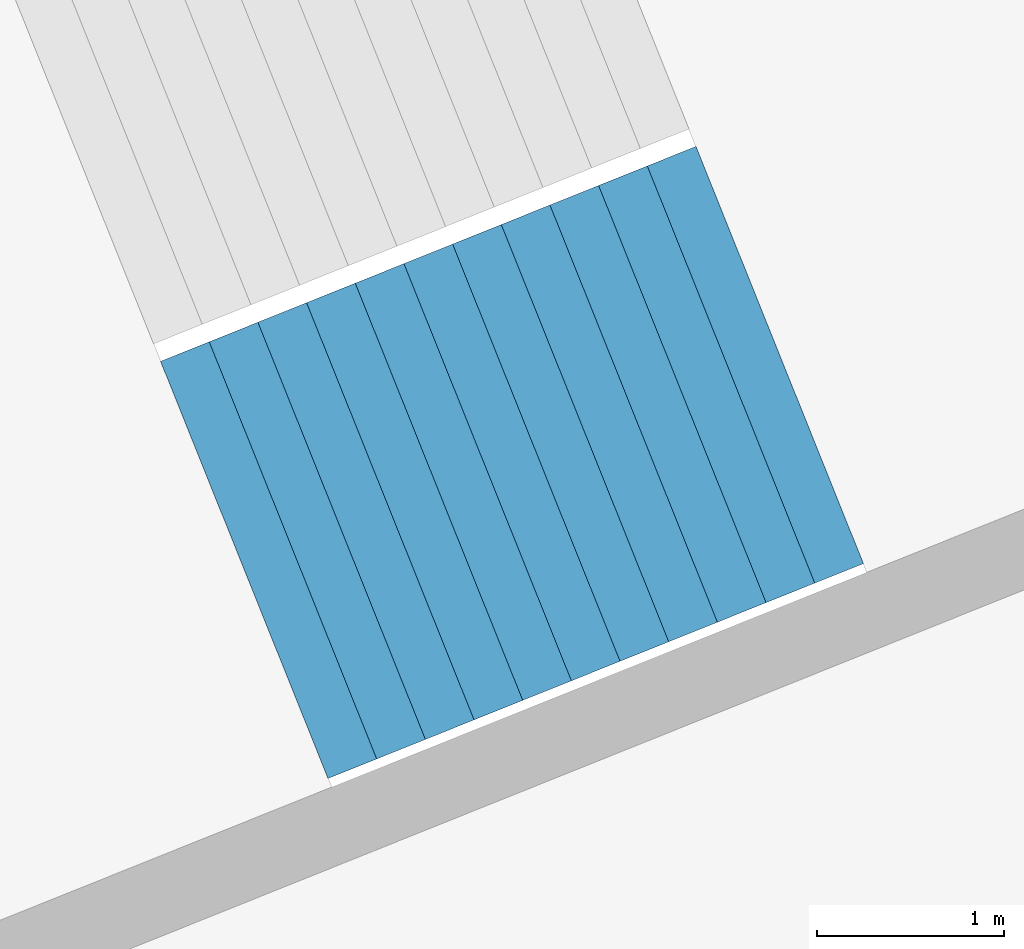
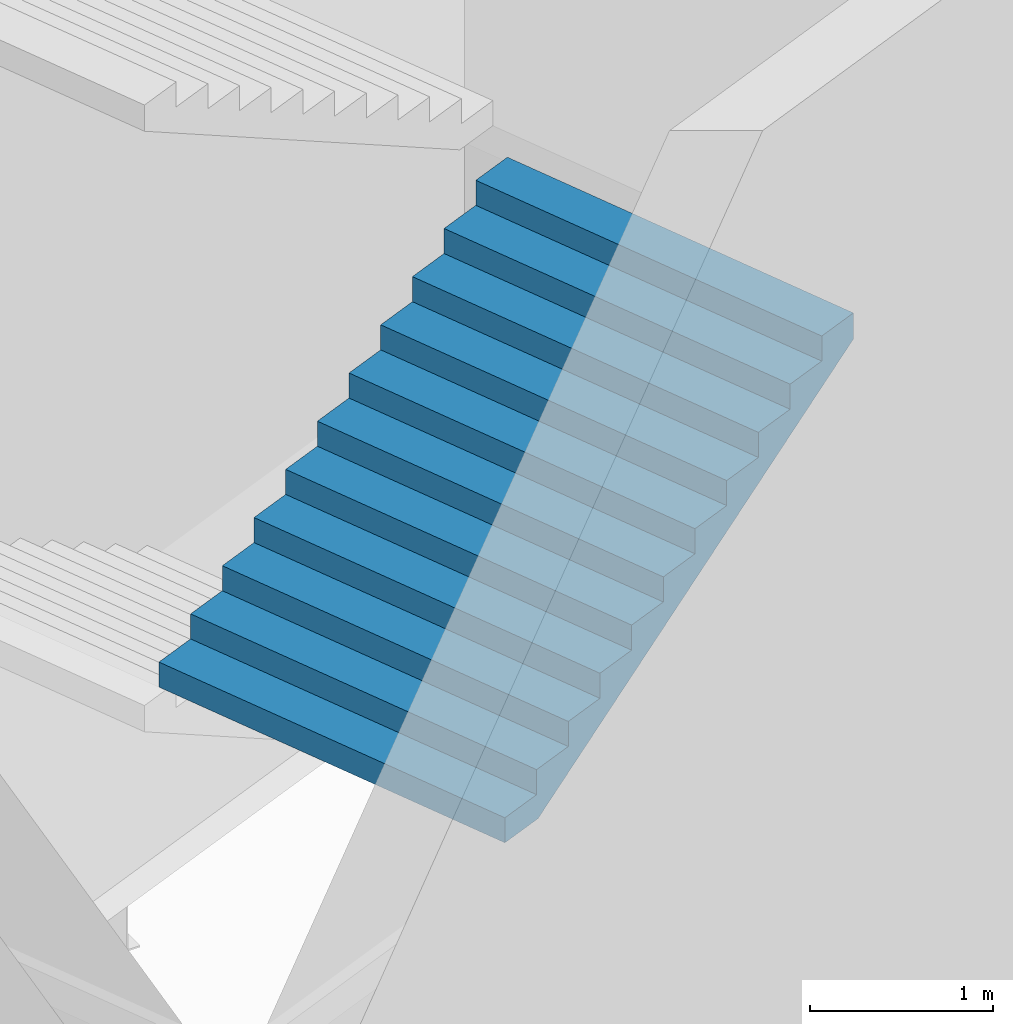
# One storey, part 67 of 74: 1 stair flight, 1 element without a shape of its own.
"""IFC4 building model written with IfcOpenShell, lengths in metres."""

from ifc_helpers import new_model, si_unit, direction, frame, origin, place, context, subcontext, project, spatial, triangles, material, type_object, element, aggregate, save


model = new_model("IFC4")

# Units and contexts
model_context = context("Model", 3, precision=1e-05, world=origin(), true_north=direction((0.0, 1.0)))
body_context = subcontext(model_context, "Body", "Model", "MODEL_VIEW")
ifc_project = project(units=[si_unit("LENGTHUNIT", "METRE"), si_unit("AREAUNIT", "SQUARE_METRE"), si_unit("VOLUMEUNIT", "CUBIC_METRE"), si_unit("PLANEANGLEUNIT", "RADIAN"), si_unit("MASSUNIT", "GRAM", prefix="KILO")], contexts=[model_context])

# Site, building, storey
site_placement = place(None, origin())
site = spatial("IfcSite", under=ifc_project, at=site_placement, CompositionType="ELEMENT")
building_placement = place(site_placement, origin())
building = spatial("IfcBuilding", under=site, at=building_placement, Name="Lantaw Convention Tower", CompositionType="ELEMENT")
storey_placement = place(building_placement, frame((0.0, 0.0, 6.5)))
storey = spatial("IfcBuildingStorey", under=building, at=storey_placement, Name="L01", CompositionType="ELEMENT", Elevation=6.5)

# Stair, stair flight
ifc_material = material(Name="Concrete C35/45", Category="concrete")
stair_type = type_object("IfcStairType", Name="Exit stair 2400 riser 166.67 in 4 flights", PredefinedType="HALF_TURN_STAIR", material=ifc_material)
stair_placement = place(storey_placement, origin())
stair = element("IfcStair", 1, at=stair_placement, inside=storey, type_object=stair_type, Name="Podium exit stair P2 L01", PredefinedType="HALF_TURN_STAIR")
stair_flight_type = type_object("IfcStairFlightType", Name="Stair flight 2400 riser 166.67", PredefinedType="STRAIGHT", material=ifc_material)
stair_flight_placement = place(storey_placement, frame((36.730712890625, 13.398193359375, 4.0), z_axis=(0.0, 0.0, 1.0), x_axis=(0.928015168305, 0.372542410198, 0.0)))
stair_flight = element("IfcStairFlight", 2, at=stair_flight_placement, type_object=stair_flight_type, Name="P2 flight 3", NumberOfRisers=12, NumberOfTreads=11, PredefinedType="STRAIGHT", RiserHeight=0.166666667, TreadLength=0.28, context=body_context, shape_type="Tessellation", body=[
    triangles([(0.0, 1.199951171875, 0.0), (0.0, 1.199951171875, 0.166666667), (0.28, 1.199951171875, 0.0), (0.28, 1.199951171875, 0.166666667), (0.28, 1.199951171875, 0.333333334), (0.29307345806906726, 1.199951171875, 0.0), (0.29307345806906726, 1.199951171875, 0.333333334), (0.56, 1.199951171875, 0.15888484670522965), (0.56, 1.199951171875, 0.333333334), (0.56, 1.199951171875, 0.500000001), (0.8400000000000001, 1.199951171875, 0.3255515137052296), (0.8400000000000001, 1.199951171875, 0.500000001), (0.8400000000000001, 1.199951171875, 0.666666668), (1.12, 1.199951171875, 0.4922181807052296), (1.12, 1.199951171875, 0.666666668), (1.12, 1.199951171875, 0.833333335), (1.4000000000000001, 1.199951171875, 0.6588848477052296), (1.4000000000000001, 1.199951171875, 0.833333335), (1.4000000000000001, 1.199951171875, 1.000000002), (1.6800000000000002, 1.199951171875, 0.8255515147052296), (1.6800000000000002, 1.199951171875, 1.000000002), (1.6800000000000002, 1.199951171875, 1.166666669), (1.9600000000000002, 1.199951171875, 0.9922181817052296), (1.9600000000000002, 1.199951171875, 1.166666669), (1.9600000000000002, 1.199951171875, 1.333333336), (2.24, 1.199951171875, 1.1588848487052295), (2.24, 1.199951171875, 1.333333336), (2.24, 1.199951171875, 1.5000000029999998), (2.5200000000000005, 1.199951171875, 1.3255515157052296), (2.5200000000000005, 1.199951171875, 1.5000000029999998), (2.5200000000000005, 1.199951171875, 1.66666667), (2.8000000000000003, 1.199951171875, 1.4922181827052294), (2.8000000000000003, 1.199951171875, 1.66666667), (2.8000000000000003, 1.199951171875, 1.833333337), (3.08, 1.199951171875, 1.6588848497052293), (3.08, 1.199951171875, 1.833333337), (0.0, -1.199951171875, 0.0), (0.0, -1.199951171875, 0.166666667), (0.28, -1.199951171875, 0.0), (0.28, -1.199951171875, 0.166666667), (0.28, -1.199951171875, 0.333333334), (0.29307345806906726, -1.199951171875, 0.0), (0.29307345806906726, -1.199951171875, 0.333333334), (0.56, -1.199951171875, 0.15888484670522965), (0.56, -1.199951171875, 0.333333334), (0.56, -1.199951171875, 0.500000001), (0.8400000000000001, -1.199951171875, 0.3255515137052296), (0.8400000000000001, -1.199951171875, 0.500000001), (0.8400000000000001, -1.199951171875, 0.666666668), (1.12, -1.199951171875, 0.4922181807052296), (1.12, -1.199951171875, 0.666666668), (1.12, -1.199951171875, 0.833333335), (1.4000000000000001, -1.199951171875, 0.6588848477052296), (1.4000000000000001, -1.199951171875, 0.833333335), (1.4000000000000001, -1.199951171875, 1.000000002), (1.6800000000000002, -1.199951171875, 0.8255515147052296), (1.6800000000000002, -1.199951171875, 1.000000002), (1.6800000000000002, -1.199951171875, 1.166666669), (1.9600000000000002, -1.199951171875, 0.9922181817052296), (1.9600000000000002, -1.199951171875, 1.166666669), (1.9600000000000002, -1.199951171875, 1.333333336), (2.24, -1.199951171875, 1.1588848487052295), (2.24, -1.199951171875, 1.333333336), (2.24, -1.199951171875, 1.5000000029999998), (2.5200000000000005, -1.199951171875, 1.3255515157052296), (2.5200000000000005, -1.199951171875, 1.5000000029999998), (2.5200000000000005, -1.199951171875, 1.66666667), (2.8000000000000003, -1.199951171875, 1.4922181827052294), (2.8000000000000003, -1.199951171875, 1.66666667), (2.8000000000000003, -1.199951171875, 1.833333337), (3.08, -1.199951171875, 1.6588848497052293), (3.08, -1.199951171875, 1.833333337), (0.0, 0.239990234375, 0.166666667), (0.0, 0.239990234375, 0.0), (0.0, 0.1199951171875, 0.166666667), (0.0, 0.1199951171875, 0.0), (0.0, 0.0, 0.166666667), (0.0, 0.0, 0.0), (0.0, -0.1199951171875, 0.166666667), (0.0, -0.1199951171875, 0.0), (0.0, -0.239990234375, 0.166666667), (0.0, -0.239990234375, 0.0), (0.28, 0.239990234375, 0.333333334), (0.28, 0.239990234375, 0.166666667), (0.28, 0.1199951171875, 0.333333334), (0.28, 0.1199951171875, 0.166666667), (0.28, 0.0, 0.333333334), (0.28, 0.0, 0.166666667), (0.28, -0.1199951171875, 0.333333334), (0.28, -0.1199951171875, 0.166666667), (0.28, -0.239990234375, 0.333333334), (0.28, -0.239990234375, 0.166666667), (0.56, 0.239990234375, 0.500000001), (0.56, 0.239990234375, 0.333333334), (0.56, 0.1199951171875, 0.500000001), (0.56, 0.1199951171875, 0.333333334), (0.56, 0.0, 0.500000001), (0.56, 0.0, 0.333333334), (0.56, -0.1199951171875, 0.500000001), (0.56, -0.1199951171875, 0.333333334), (0.56, -0.239990234375, 0.500000001), (0.56, -0.239990234375, 0.333333334), (0.8400000000000001, 0.239990234375, 0.666666668), (0.8400000000000001, 0.239990234375, 0.500000001), (0.8400000000000001, 0.1199951171875, 0.666666668), (0.8400000000000001, 0.1199951171875, 0.500000001), (0.8400000000000001, 0.0, 0.666666668), (0.8400000000000001, 0.0, 0.500000001), (0.8400000000000001, -0.1199951171875, 0.666666668), (0.8400000000000001, -0.1199951171875, 0.500000001), (0.8400000000000001, -0.239990234375, 0.666666668), (0.8400000000000001, -0.239990234375, 0.500000001), (1.12, 0.239990234375, 0.833333335), (1.12, 0.239990234375, 0.666666668), (1.12, 0.1199951171875, 0.833333335), (1.12, 0.1199951171875, 0.666666668), (1.12, 0.0, 0.833333335), (1.12, 0.0, 0.666666668), (1.12, -0.1199951171875, 0.833333335), (1.12, -0.1199951171875, 0.666666668), (1.12, -0.239990234375, 0.833333335), (1.12, -0.239990234375, 0.666666668), (1.4000000000000001, 0.239990234375, 1.000000002), (1.4000000000000001, 0.239990234375, 0.833333335), (1.4000000000000001, 0.1199951171875, 1.000000002), (1.4000000000000001, 0.1199951171875, 0.833333335), (1.4000000000000001, 0.0, 1.000000002), (1.4000000000000001, 0.0, 0.833333335), (1.4000000000000001, -0.1199951171875, 1.000000002), (1.4000000000000001, -0.1199951171875, 0.833333335), (1.4000000000000001, -0.239990234375, 1.000000002), (1.4000000000000001, -0.239990234375, 0.833333335), (1.6800000000000002, 0.239990234375, 1.166666669), (1.6800000000000002, 0.239990234375, 1.000000002), (1.6800000000000002, 0.1199951171875, 1.166666669), (1.6800000000000002, 0.1199951171875, 1.000000002), (1.6800000000000002, 0.0, 1.166666669), (1.6800000000000002, 0.0, 1.000000002), (1.6800000000000002, -0.1199951171875, 1.166666669), (1.6800000000000002, -0.1199951171875, 1.000000002), (1.6800000000000002, -0.239990234375, 1.166666669), (1.6800000000000002, -0.239990234375, 1.000000002), (1.9600000000000002, 0.239990234375, 1.333333336), (1.9600000000000002, 0.239990234375, 1.166666669), (1.9600000000000002, 0.1199951171875, 1.333333336), (1.9600000000000002, 0.1199951171875, 1.166666669), (1.9600000000000002, 0.0, 1.333333336), (1.9600000000000002, 0.0, 1.166666669), (1.9600000000000002, -0.1199951171875, 1.333333336), (1.9600000000000002, -0.1199951171875, 1.166666669), (1.9600000000000002, -0.239990234375, 1.333333336), (1.9600000000000002, -0.239990234375, 1.166666669), (2.24, 0.239990234375, 1.5000000029999998), (2.24, 0.239990234375, 1.333333336), (2.24, 0.1199951171875, 1.5000000029999998), (2.24, 0.1199951171875, 1.333333336), (2.24, 0.0, 1.5000000029999998), (2.24, 0.0, 1.333333336), (2.24, -0.1199951171875, 1.5000000029999998), (2.24, -0.1199951171875, 1.333333336), (2.24, -0.239990234375, 1.5000000029999998), (2.24, -0.239990234375, 1.333333336), (2.5200000000000005, 0.239990234375, 1.66666667), (2.5200000000000005, 0.239990234375, 1.5000000029999998), (2.5200000000000005, 0.1199951171875, 1.66666667), (2.5200000000000005, 0.1199951171875, 1.5000000029999998), (2.5200000000000005, 0.0, 1.66666667), (2.5200000000000005, 0.0, 1.5000000029999998), (2.5200000000000005, -0.1199951171875, 1.66666667), (2.5200000000000005, -0.1199951171875, 1.5000000029999998), (2.5200000000000005, -0.239990234375, 1.66666667), (2.5200000000000005, -0.239990234375, 1.5000000029999998), (2.8000000000000003, 0.239990234375, 1.833333337), (2.8000000000000003, 0.239990234375, 1.66666667), (2.8000000000000003, 0.1199951171875, 1.833333337), (2.8000000000000003, 0.1199951171875, 1.66666667), (2.8000000000000003, 0.0, 1.833333337), (2.8000000000000003, 0.0, 1.66666667), (2.8000000000000003, -0.1199951171875, 1.833333337), (2.8000000000000003, -0.1199951171875, 1.66666667), (2.8000000000000003, -0.239990234375, 1.833333337), (2.8000000000000003, -0.239990234375, 1.66666667), (0.29307345806906726, 0.239990234375, 0.333333334), (0.29307345806906726, 0.1199951171875, 0.333333334), (0.29307345806906726, 0.0, 0.333333334), (0.29307345806906726, -0.1199951171875, 0.333333334), (0.29307345806906726, -0.239990234375, 0.333333334), (3.08, 0.239990234375, 1.833333337), (3.08, 0.1199951171875, 1.833333337), (3.08, 0.0, 1.833333337), (3.08, -0.1199951171875, 1.833333337), (3.08, -0.239990234375, 1.833333337), (3.08, 0.239990234375, 1.6588848497052293), (3.08, 0.1199951171875, 1.6588848497052293), (3.08, 0.0, 1.6588848497052293), (3.08, -0.1199951171875, 1.6588848497052293), (3.08, -0.239990234375, 1.6588848497052293), (2.8000000000000003, 0.239990234375, 1.4922181827052294), (2.8000000000000003, 0.1199951171875, 1.4922181827052294), (2.8000000000000003, 0.0, 1.4922181827052294), (2.8000000000000003, -0.1199951171875, 1.4922181827052294), (2.8000000000000003, -0.239990234375, 1.4922181827052294), (2.5200000000000005, 0.239990234375, 1.3255515157052296), (2.5200000000000005, 0.1199951171875, 1.3255515157052296), (2.5200000000000005, 0.0, 1.3255515157052296), (2.5200000000000005, -0.1199951171875, 1.3255515157052296), (2.5200000000000005, -0.239990234375, 1.3255515157052296), (2.24, 0.239990234375, 1.1588848487052295), (2.24, 0.1199951171875, 1.1588848487052295), (2.24, 0.0, 1.1588848487052295), (2.24, -0.1199951171875, 1.1588848487052295), (2.24, -0.239990234375, 1.1588848487052295), (1.9600000000000002, 0.239990234375, 0.9922181817052296), (1.9600000000000002, 0.1199951171875, 0.9922181817052296), (1.9600000000000002, 0.0, 0.9922181817052296), (1.9600000000000002, -0.1199951171875, 0.9922181817052296), (1.9600000000000002, -0.239990234375, 0.9922181817052296), (1.6800000000000002, 0.239990234375, 0.8255515147052296), (1.6800000000000002, 0.1199951171875, 0.8255515147052296), (1.6800000000000002, 0.0, 0.8255515147052296), (1.6800000000000002, -0.1199951171875, 0.8255515147052296), (1.6800000000000002, -0.239990234375, 0.8255515147052296), (1.4000000000000001, 0.239990234375, 0.6588848477052296), (1.4000000000000001, 0.1199951171875, 0.6588848477052296), (1.4000000000000001, 0.0, 0.6588848477052296), (1.4000000000000001, -0.1199951171875, 0.6588848477052296), (1.4000000000000001, -0.239990234375, 0.6588848477052296), (1.12, 0.239990234375, 0.4922181807052296), (1.12, 0.1199951171875, 0.4922181807052296), (1.12, 0.0, 0.4922181807052296), (1.12, -0.1199951171875, 0.4922181807052296), (1.12, -0.239990234375, 0.4922181807052296), (0.8400000000000001, 0.239990234375, 0.3255515137052296), (0.8400000000000001, 0.1199951171875, 0.3255515137052296), (0.8400000000000001, 0.0, 0.3255515137052296), (0.8400000000000001, -0.1199951171875, 0.3255515137052296), (0.8400000000000001, -0.239990234375, 0.3255515137052296), (0.56, 0.239990234375, 0.15888484670522965), (0.56, 0.1199951171875, 0.15888484670522965), (0.56, 0.0, 0.15888484670522965), (0.56, -0.1199951171875, 0.15888484670522965), (0.56, -0.239990234375, 0.15888484670522965), (0.29307345806906726, 0.239990234375, 0.0), (0.29307345806906726, 0.1199951171875, 0.0), (0.29307345806906726, 0.0, 0.0), (0.29307345806906726, -0.1199951171875, 0.0), (0.29307345806906726, -0.239990234375, 0.0), (0.28, 0.239990234375, 0.0), (0.28, 0.1199951171875, 0.0), (0.28, 0.0, 0.0), (0.28, -0.1199951171875, 0.0), (0.28, -0.239990234375, 0.0)], [[1, 4, 3], [1, 2, 4], [3, 4, 6], [4, 7, 6], [4, 5, 7], [6, 9, 8], [6, 7, 9], [8, 9, 11], [9, 12, 11], [9, 10, 12], [11, 12, 14], [12, 15, 14], [12, 13, 15], [14, 15, 17], [15, 18, 17], [15, 16, 18], [17, 18, 20], [18, 21, 20], [18, 19, 21], [20, 21, 23], [21, 24, 23], [21, 22, 24], [23, 24, 26], [24, 27, 26], [24, 25, 27], [26, 27, 29], [27, 30, 29], [27, 28, 30], [29, 30, 32], [30, 33, 32], [30, 31, 33], [32, 33, 35], [33, 36, 35], [33, 34, 36], [37, 39, 40], [37, 40, 38], [39, 42, 40], [40, 42, 43], [40, 43, 41], [42, 44, 45], [42, 45, 43], [44, 47, 45], [45, 47, 48], [45, 48, 46], [47, 50, 48], [48, 50, 51], [48, 51, 49], [50, 53, 51], [51, 53, 54], [51, 54, 52], [53, 56, 54], [54, 56, 57], [54, 57, 55], [56, 59, 57], [57, 59, 60], [57, 60, 58], [59, 62, 60], [60, 62, 63], [60, 63, 61], [62, 65, 63], [63, 65, 66], [63, 66, 64], [65, 68, 66], [66, 68, 69], [66, 69, 67], [68, 71, 69], [69, 71, 72], [69, 72, 70], [1, 73, 2], [1, 74, 73], [74, 75, 73], [74, 76, 75], [76, 77, 75], [76, 78, 77], [78, 79, 77], [78, 80, 79], [80, 81, 79], [80, 82, 81], [82, 38, 81], [82, 37, 38], [4, 83, 5], [4, 84, 83], [84, 85, 83], [84, 86, 85], [86, 87, 85], [86, 88, 87], [88, 89, 87], [88, 90, 89], [90, 91, 89], [90, 92, 91], [92, 41, 91], [92, 40, 41], [9, 93, 10], [9, 94, 93], [94, 95, 93], [94, 96, 95], [96, 97, 95], [96, 98, 97], [98, 99, 97], [98, 100, 99], [100, 101, 99], [100, 102, 101], [102, 46, 101], [102, 45, 46], [12, 103, 13], [12, 104, 103], [104, 105, 103], [104, 106, 105], [106, 107, 105], [106, 108, 107], [108, 109, 107], [108, 110, 109], [110, 111, 109], [110, 112, 111], [112, 49, 111], [112, 48, 49], [15, 113, 16], [15, 114, 113], [114, 115, 113], [114, 116, 115], [116, 117, 115], [116, 118, 117], [118, 119, 117], [118, 120, 119], [120, 121, 119], [120, 122, 121], [122, 52, 121], [122, 51, 52], [18, 123, 19], [18, 124, 123], [124, 125, 123], [124, 126, 125], [126, 127, 125], [126, 128, 127], [128, 129, 127], [128, 130, 129], [130, 131, 129], [130, 132, 131], [132, 55, 131], [132, 54, 55], [21, 133, 22], [21, 134, 133], [134, 135, 133], [134, 136, 135], [136, 137, 135], [136, 138, 137], [138, 139, 137], [138, 140, 139], [140, 141, 139], [140, 142, 141], [142, 58, 141], [142, 57, 58], [24, 143, 25], [24, 144, 143], [144, 145, 143], [144, 146, 145], [146, 147, 145], [146, 148, 147], [148, 149, 147], [148, 150, 149], [150, 151, 149], [150, 152, 151], [152, 61, 151], [152, 60, 61], [27, 153, 28], [27, 154, 153], [154, 155, 153], [154, 156, 155], [156, 157, 155], [156, 158, 157], [158, 159, 157], [158, 160, 159], [160, 161, 159], [160, 162, 161], [162, 64, 161], [162, 63, 64], [30, 163, 31], [30, 164, 163], [164, 165, 163], [164, 166, 165], [166, 167, 165], [166, 168, 167], [168, 169, 167], [168, 170, 169], [170, 171, 169], [170, 172, 171], [172, 67, 171], [172, 66, 67], [33, 173, 34], [33, 174, 173], [174, 175, 173], [174, 176, 175], [176, 177, 175], [176, 178, 177], [178, 179, 177], [178, 180, 179], [180, 181, 179], [180, 182, 181], [182, 70, 181], [182, 69, 70], [2, 84, 4], [2, 73, 84], [73, 86, 84], [73, 75, 86], [75, 88, 86], [75, 77, 88], [77, 90, 88], [77, 79, 90], [79, 92, 90], [79, 81, 92], [81, 40, 92], [81, 38, 40], [5, 183, 7], [5, 83, 183], [83, 184, 183], [83, 85, 184], [85, 185, 184], [85, 87, 185], [87, 186, 185], [87, 89, 186], [89, 187, 186], [89, 91, 187], [91, 43, 187], [91, 41, 43], [7, 94, 9], [7, 183, 94], [183, 96, 94], [183, 184, 96], [184, 98, 96], [184, 185, 98], [185, 100, 98], [185, 186, 100], [186, 102, 100], [186, 187, 102], [187, 45, 102], [187, 43, 45], [10, 104, 12], [10, 93, 104], [93, 106, 104], [93, 95, 106], [95, 108, 106], [95, 97, 108], [97, 110, 108], [97, 99, 110], [99, 112, 110], [99, 101, 112], [101, 48, 112], [101, 46, 48], [13, 114, 15], [13, 103, 114], [103, 116, 114], [103, 105, 116], [105, 118, 116], [105, 107, 118], [107, 120, 118], [107, 109, 120], [109, 122, 120], [109, 111, 122], [111, 51, 122], [111, 49, 51], [16, 124, 18], [16, 113, 124], [113, 126, 124], [113, 115, 126], [115, 128, 126], [115, 117, 128], [117, 130, 128], [117, 119, 130], [119, 132, 130], [119, 121, 132], [121, 54, 132], [121, 52, 54], [19, 134, 21], [19, 123, 134], [123, 136, 134], [123, 125, 136], [125, 138, 136], [125, 127, 138], [127, 140, 138], [127, 129, 140], [129, 142, 140], [129, 131, 142], [131, 57, 142], [131, 55, 57], [22, 144, 24], [22, 133, 144], [133, 146, 144], [133, 135, 146], [135, 148, 146], [135, 137, 148], [137, 150, 148], [137, 139, 150], [139, 152, 150], [139, 141, 152], [141, 60, 152], [141, 58, 60], [25, 154, 27], [25, 143, 154], [143, 156, 154], [143, 145, 156], [145, 158, 156], [145, 147, 158], [147, 160, 158], [147, 149, 160], [149, 162, 160], [149, 151, 162], [151, 63, 162], [151, 61, 63], [28, 164, 30], [28, 153, 164], [153, 166, 164], [153, 155, 166], [155, 168, 166], [155, 157, 168], [157, 170, 168], [157, 159, 170], [159, 172, 170], [159, 161, 172], [161, 66, 172], [161, 64, 66], [31, 174, 33], [31, 163, 174], [163, 176, 174], [163, 165, 176], [165, 178, 176], [165, 167, 178], [167, 180, 178], [167, 169, 180], [169, 182, 180], [169, 171, 182], [171, 69, 182], [171, 67, 69], [34, 188, 36], [34, 173, 188], [173, 189, 188], [173, 175, 189], [175, 190, 189], [175, 177, 190], [177, 191, 190], [177, 179, 191], [179, 192, 191], [179, 181, 192], [181, 72, 192], [181, 70, 72], [36, 193, 35], [36, 188, 193], [188, 194, 193], [188, 189, 194], [189, 195, 194], [189, 190, 195], [190, 196, 195], [190, 191, 196], [191, 197, 196], [191, 192, 197], [192, 71, 197], [192, 72, 71], [35, 198, 32], [35, 193, 198], [193, 199, 198], [193, 194, 199], [194, 200, 199], [194, 195, 200], [195, 201, 200], [195, 196, 201], [196, 202, 201], [196, 197, 202], [197, 68, 202], [197, 71, 68], [32, 203, 29], [32, 198, 203], [198, 204, 203], [198, 199, 204], [199, 205, 204], [199, 200, 205], [200, 206, 205], [200, 201, 206], [201, 207, 206], [201, 202, 207], [202, 65, 207], [202, 68, 65], [29, 208, 26], [29, 203, 208], [203, 209, 208], [203, 204, 209], [204, 210, 209], [204, 205, 210], [205, 211, 210], [205, 206, 211], [206, 212, 211], [206, 207, 212], [207, 62, 212], [207, 65, 62], [26, 213, 23], [26, 208, 213], [208, 214, 213], [208, 209, 214], [209, 215, 214], [209, 210, 215], [210, 216, 215], [210, 211, 216], [211, 217, 216], [211, 212, 217], [212, 59, 217], [212, 62, 59], [23, 218, 20], [23, 213, 218], [213, 219, 218], [213, 214, 219], [214, 220, 219], [214, 215, 220], [215, 221, 220], [215, 216, 221], [216, 222, 221], [216, 217, 222], [217, 56, 222], [217, 59, 56], [20, 223, 17], [20, 218, 223], [218, 224, 223], [218, 219, 224], [219, 225, 224], [219, 220, 225], [220, 226, 225], [220, 221, 226], [221, 227, 226], [221, 222, 227], [222, 53, 227], [222, 56, 53], [17, 228, 14], [17, 223, 228], [223, 229, 228], [223, 224, 229], [224, 230, 229], [224, 225, 230], [225, 231, 230], [225, 226, 231], [226, 232, 231], [226, 227, 232], [227, 50, 232], [227, 53, 50], [14, 233, 11], [14, 228, 233], [228, 234, 233], [228, 229, 234], [229, 235, 234], [229, 230, 235], [230, 236, 235], [230, 231, 236], [231, 237, 236], [231, 232, 237], [232, 47, 237], [232, 50, 47], [11, 238, 8], [11, 233, 238], [233, 239, 238], [233, 234, 239], [234, 240, 239], [234, 235, 240], [235, 241, 240], [235, 236, 241], [236, 242, 241], [236, 237, 242], [237, 44, 242], [237, 47, 44], [8, 243, 6], [8, 238, 243], [238, 244, 243], [238, 239, 244], [239, 245, 244], [239, 240, 245], [240, 246, 245], [240, 241, 246], [241, 247, 246], [241, 242, 247], [242, 42, 247], [242, 44, 42], [6, 248, 3], [6, 243, 248], [243, 249, 248], [243, 244, 249], [244, 250, 249], [244, 245, 250], [245, 251, 250], [245, 246, 251], [246, 252, 251], [246, 247, 252], [247, 39, 252], [247, 42, 39], [3, 74, 1], [3, 248, 74], [248, 76, 74], [248, 249, 76], [249, 78, 76], [249, 250, 78], [250, 80, 78], [250, 251, 80], [251, 82, 80], [251, 252, 82], [252, 37, 82], [252, 39, 37]], closed=True),
])
aggregate(stair, [stair_flight])

save(model, "model.ifc")
